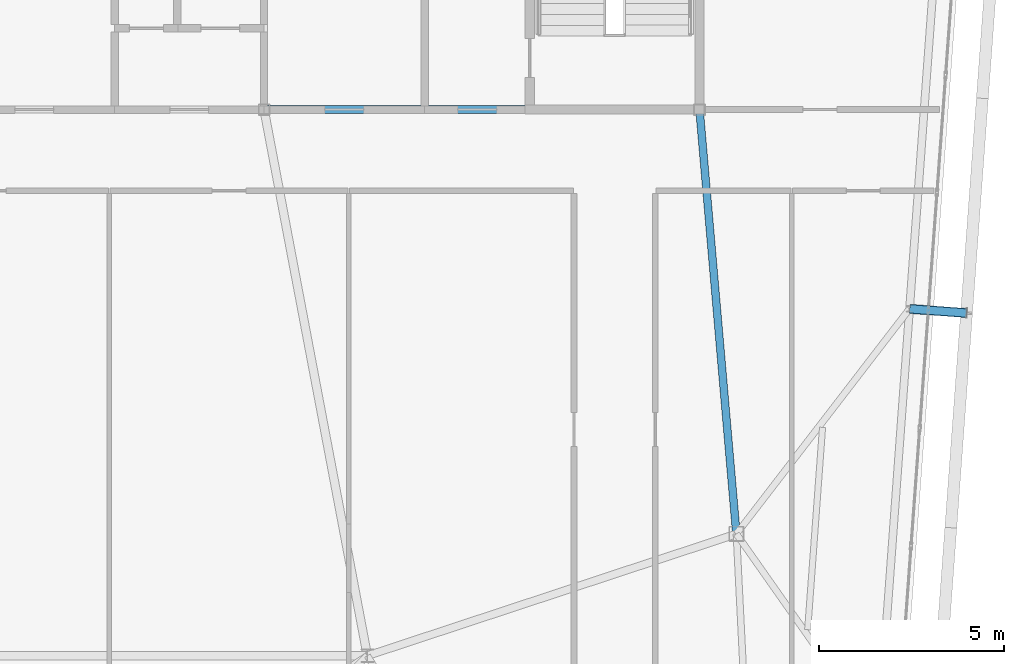
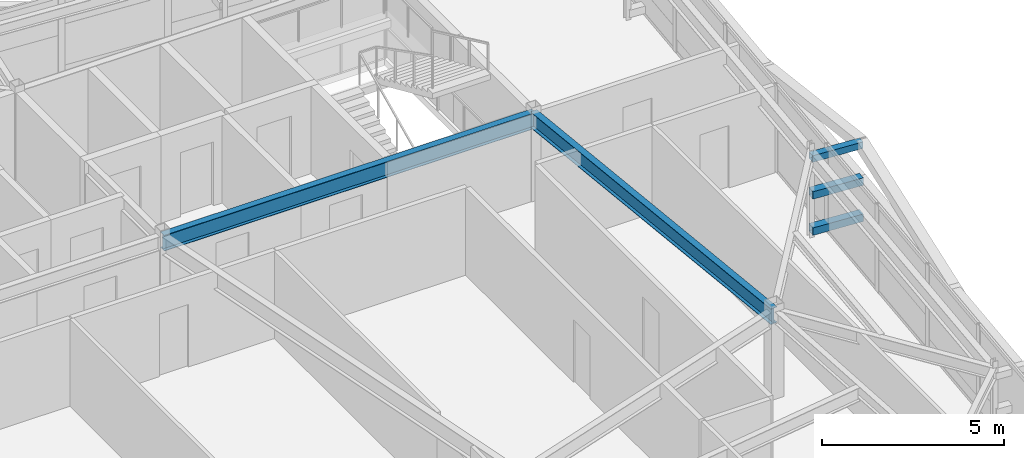
# One storey, part 22 of 42: 3 members, 2 beams.
"""IFC4 building model written with IfcOpenShell, lengths in metres."""

from ifc_helpers import new_model, si_unit, direction, frame, origin, origin_2d, place, context, subcontext, project, spatial, hollow_rectangle, i_section, extrude, source, transform, mapped, material, material_profile, profile_set, type_object, element, save


model = new_model("IFC4")

# Units and contexts
model_context = context("Model", 3, precision=1e-05, world=origin(), true_north=direction((0.0, 1.0)))
body_context = subcontext(model_context, "Body", "Model", "MODEL_VIEW")
ifc_project = project(units=[si_unit("LENGTHUNIT", "METRE"), si_unit("AREAUNIT", "SQUARE_METRE"), si_unit("VOLUMEUNIT", "CUBIC_METRE"), si_unit("PLANEANGLEUNIT", "RADIAN"), si_unit("MASSUNIT", "GRAM", prefix="KILO")], contexts=[model_context])

# Site, building, storey
site_placement = place(None, origin())
site = spatial("IfcSite", under=ifc_project, at=site_placement, CompositionType="ELEMENT")
building_placement = place(site_placement, origin())
building = spatial("IfcBuilding", under=site, at=building_placement, Name="Taldren Reach Tower", CompositionType="ELEMENT")
storey_placement = place(building_placement, frame((0.0, 0.0, 217.699951171875)))
storey = spatial("IfcBuildingStorey", under=building, at=storey_placement, Name="L66", CompositionType="ELEMENT", Elevation=217.699951171875)

# Beams
ifc_material_1 = material(Name="Steel Gr 350 (350PLUS)", Category="steel")
ifc_material_profile_1 = material_profile(ifc_material_1, i_section(OverallWidth=0.208984375, OverallDepth=0.532958984375, WebThickness=0.01025390625, FlangeThickness=0.015625, at=origin_2d()), Name="530UB92.4")
ifc_profile_set_1 = profile_set([ifc_material_profile_1], Name="Steel Gr 350 (350PLUS)")
beam_type = type_object("IfcBeamType", Name="BM-UB530A", PredefinedType="BEAM", material=ifc_profile_set_1)
shared_shape_1 = source(origin(), body_context, "Body", "SweptSolid", [
    extrude(i_section(OverallWidth=0.208984375, OverallDepth=0.532958984375, WebThickness=0.01025390625, FlangeThickness=0.015625, at=origin_2d()), origin(), (0.0, 0.0, 1.0), 11.800048828125),
])
beam_1_placement = place(storey_placement, frame((39.199951171875, 24.0, 2.66357421875), z_axis=(1.0, 0.0, 0.0), x_axis=(0.0, 1.0, 0.0)))
element("IfcBeam", 1, at=beam_1_placement, inside=storey, type_object=beam_type, Name="Core-spine girder L66-SP03", PredefinedType="BEAM", context=body_context, shape_type="MappedRepresentation", body=[
    mapped(shared_shape_1, transform((0.0, 0.0, 0.0), scale=1.0)),
])
shared_shape_2 = source(origin(), body_context, "Body", "SweptSolid", [
    extrude(i_section(OverallWidth=0.208984375, OverallDepth=0.532958984375, WebThickness=0.01025390625, FlangeThickness=0.015625, at=origin_2d()), origin(), (0.0, 0.0, 1.0), 11.54345703125),
])
beam_2_placement = place(storey_placement, frame((52.0, 12.5, 2.66357421875), z_axis=(-0.086629616365, 0.996240588196, 0.0), x_axis=(-0.996240588196, -0.086629616365, 0.0)))
element("IfcBeam", 2, at=beam_2_placement, inside=storey, type_object=beam_type, Name="Core-spine girder L66-SP13", PredefinedType="BEAM", context=body_context, shape_type="MappedRepresentation", body=[
    mapped(shared_shape_2, transform((0.0, 0.0, 0.0), scale=1.0)),
])

# Members
ifc_material_2 = material(Name="Steel Gr 450 (C450L0)", Category="steel")
ifc_material_profile_2 = material_profile(ifc_material_2, hollow_rectangle(XDim=0.219970703125, YDim=0.219970703125, WallThickness=0.00830078125, at=origin_2d()), Name="220x220x8.2SHS")
ifc_profile_set_2 = profile_set([ifc_material_profile_2], Name="Steel Gr 450 (C450L0)")
member_type_1 = type_object("IfcMemberType", Name="MB-TIE219", PredefinedType="STRUT", material=ifc_profile_set_2)
shared_shape_3 = source(origin(), body_context, "Body", "SweptSolid", [
    extrude(hollow_rectangle(XDim=0.219970703125, YDim=0.219970703125, WallThickness=0.00830078125, at=origin_2d()), origin(), (0.0, 0.0, 1.0), 1.5458984375),
])
member_placement = place(storey_placement, frame((56.6953125, 18.599365234375, 2.650146484375), z_axis=(0.99732305975, -0.073121231459, 0.0), x_axis=(0.073121231459, 0.99732305975, 0.0)))
element("IfcMember", 3, at=member_placement, inside=storey, type_object=member_type_1, Name="Exoskeleton diaphragm tie strut B5-E2 L66", PredefinedType="STRUT", context=body_context, shape_type="MappedRepresentation", body=[
    mapped(shared_shape_3, transform((0.0, 0.0, 0.0), scale=1.0)),
])
ifc_material_3 = material(Name="Steel Gr 350 (C350L0)", Category="steel")
ifc_material_profile_3 = material_profile(ifc_material_3, hollow_rectangle(XDim=0.25, YDim=0.25, WallThickness=0.010009765625, at=origin_2d()), Name="250x250x10.0SHS")
ifc_profile_set_3 = profile_set([ifc_material_profile_3], Name="Steel Gr 350 (C350L0)")
member_type_2 = type_object("IfcMemberType", Name="MB-POST250", PredefinedType="POST", material=ifc_profile_set_3)
shared_shape_4 = source(origin(), body_context, "Body", "SweptSolid", [
    extrude(hollow_rectangle(XDim=0.25, YDim=0.25, WallThickness=0.010009765625, at=origin_2d()), origin(), (0.0, 0.0, 1.0), 1.5458984375),
])
for number, where, z_axis, x_axis, name in (
    (4, (56.6953125, 18.599365234375, 0.219970703125), (0.99732305975, -0.073121231459, 0.0), (0.073121231459, 0.99732305975, 0.0), "Exoskeleton base diaphragm tie strut B5-E2 L66"),
    (5, (56.6953125, 18.599365234375, 1.43505859375), (0.99732305975, -0.073121231459, 0.0), (0.073121231459, 0.99732305975, 0.0), "Exoskeleton mid-tier diaphragm tie B5-E2 L66"),
):
    element("IfcMember", number, at=place(storey_placement, frame(where, z_axis=z_axis, x_axis=x_axis)), inside=storey, type_object=member_type_2, Name=name, PredefinedType="POST", context=body_context, shape_type="MappedRepresentation", body=[
        mapped(shared_shape_4, transform((0.0, 0.0, 0.0), scale=1.0)),
    ])

save(model, "model.ifc")
